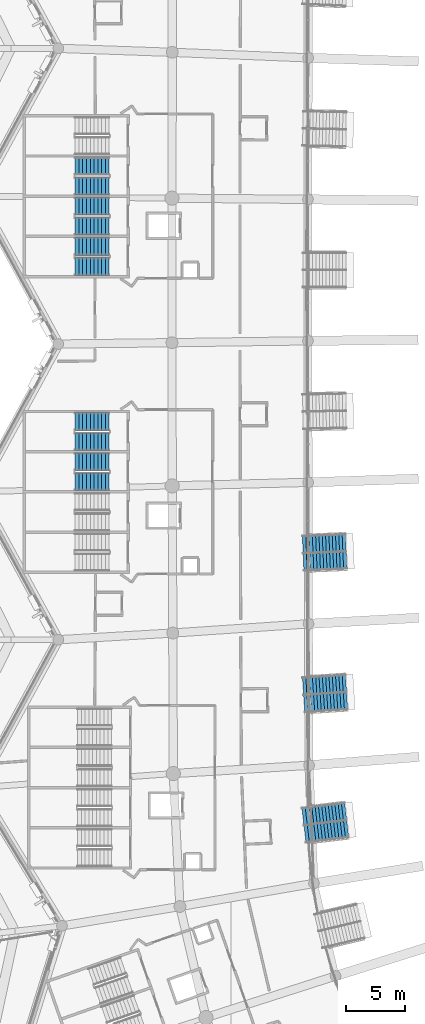
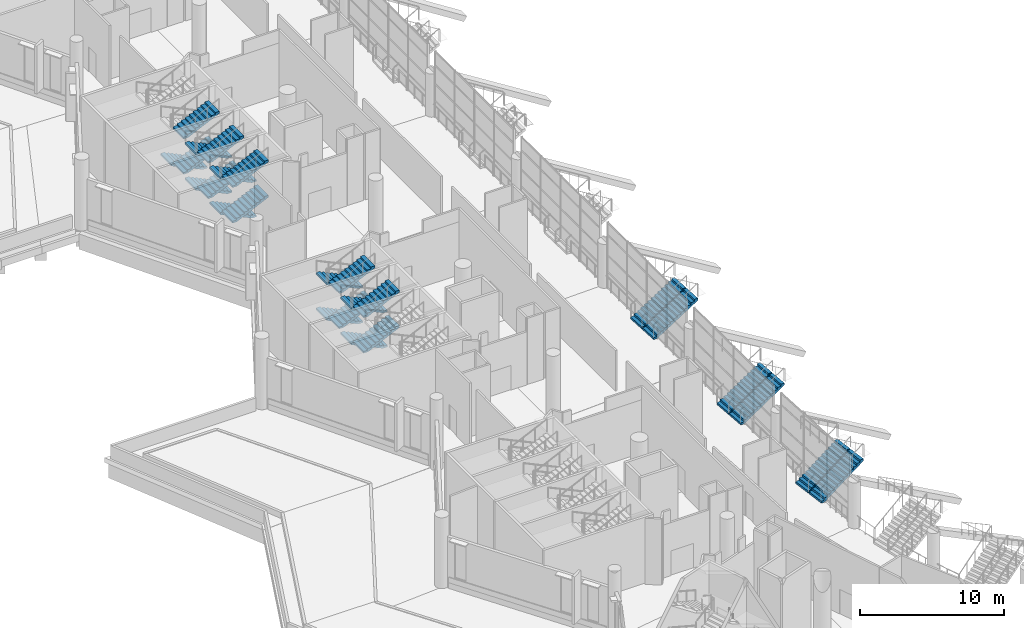
# One storey, part 85 of 173: 25 stair flights, 8 elements without a shape of their own.
"""IFC4 building model written with IfcOpenShell, lengths in metres."""

from ifc_helpers import new_model, si_unit, direction, frame, origin, place, context, subcontext, project, spatial, polyline, outline, extrude, material, type_object, element, aggregate, save


model = new_model("IFC4")

# Units and contexts
model_context = context("Model", 3, precision=1e-05, world=origin(), true_north=direction((0.0, 1.0)))
body_context = subcontext(model_context, "Body", "Model", "MODEL_VIEW")
ifc_project = project(units=[si_unit("LENGTHUNIT", "METRE"), si_unit("AREAUNIT", "SQUARE_METRE"), si_unit("VOLUMEUNIT", "CUBIC_METRE"), si_unit("PLANEANGLEUNIT", "RADIAN"), si_unit("MASSUNIT", "GRAM", prefix="KILO")], contexts=[model_context])

# Site, building, storey
site_placement = place(None, origin())
site = spatial("IfcSite", under=ifc_project, at=site_placement, CompositionType="ELEMENT")
building_placement = place(site_placement, origin())
building = spatial("IfcBuilding", under=site, at=building_placement, Name="Meseta Stadium", CompositionType="ELEMENT")
storey_placement = place(building_placement, frame((0.0, 0.0, 18.0)))
storey = spatial("IfcBuildingStorey", under=building, at=storey_placement, Name="L03", CompositionType="ELEMENT", Elevation=18.0)

# Stair, stair flights
ifc_material_1 = material(Name="Concrete C40/50", Category="concrete")
stair_type_1 = type_object("IfcStairType", Name="Exit stair 4 flights 150 mm risers", PredefinedType="HALF_TURN_STAIR", material=ifc_material_1)
stair_1_placement = place(storey_placement, origin())
stair_1 = element("IfcStair", 1, at=stair_1_placement, inside=storey, type_object=stair_type_1, Name="ST66 L03", PredefinedType="HALF_TURN_STAIR")
ifc_material_2 = material(Name="Concrete C40/50", Category="concrete")
stair_flight_type_1 = type_object("IfcStairFlightType", Name="Exit stair flight 150 mm risers, 4 per storey", PredefinedType="STRAIGHT", material=ifc_material_2)
stair_flight_1_placement = place(storey_placement, frame((-90.300048828125, 8.800048828125, 0.0), z_axis=(0.0, 0.0, 1.0), x_axis=(-1.0, 0.0, 0.0)))
stair_flight_1 = element("IfcStairFlight", 2, at=stair_flight_1_placement, type_object=stair_flight_type_1, Name="ST66 L03 flight 1", NumberOfRisers=10, NumberOfTreads=9, PredefinedType="STRAIGHT", RiserHeight=0.15, TreadLength=0.32, context=body_context, shape_type="SweptSolid", body=[
    extrude(outline(polyline([(0.0, 0.0), (0.0, 0.14990234375), (0.320068359375, 0.14990234375), (0.320068359375, 0.300048828125), (0.639892578125, 0.300048828125), (0.639892578125, 0.449951171875), (0.9599609375, 0.449951171875), (0.9599609375, 0.60009765625), (1.280029296875, 0.60009765625), (1.280029296875, 0.75), (1.60009765625, 0.75), (1.60009765625, 0.89990234375), (1.919921875, 0.89990234375), (1.919921875, 1.050048828125), (2.239990234375, 1.050048828125), (2.239990234375, 1.199951171875), (2.56005859375, 1.199951171875), (2.56005859375, 1.35009765625), (2.8798828125, 1.35009765625), (2.8798828125, 1.184326171875), (0.353271484375, 0.0), (0.0, 0.0)])), frame((0.0, 0.75, 0.0), z_axis=(0.0, -1.0, 0.0), x_axis=(1.0, 0.0, 0.0)), (0.0, 0.0, 1.0), 1.5),
])
stair_flight_2_placement = place(storey_placement, frame((-93.179931640625, 7.10009765625, 1.5), z_axis=(0.0, 0.0, 1.0), x_axis=(1.0, 0.0, 0.0)))
stair_flight_2 = element("IfcStairFlight", 3, at=stair_flight_2_placement, type_object=stair_flight_type_1, Name="ST66 L03 flight 2", NumberOfRisers=10, NumberOfTreads=9, PredefinedType="STRAIGHT", RiserHeight=0.15, TreadLength=0.32, context=body_context, shape_type="SweptSolid", body=[
    extrude(outline(polyline([(0.0, 0.0), (0.0, 0.14990234375), (0.320068359375, 0.14990234375), (0.320068359375, 0.300048828125), (0.639892578125, 0.300048828125), (0.639892578125, 0.449951171875), (0.9599609375, 0.449951171875), (0.9599609375, 0.60009765625), (1.280029296875, 0.60009765625), (1.280029296875, 0.75), (1.60009765625, 0.75), (1.60009765625, 0.89990234375), (1.919921875, 0.89990234375), (1.919921875, 1.050048828125), (2.239990234375, 1.050048828125), (2.239990234375, 1.199951171875), (2.56005859375, 1.199951171875), (2.56005859375, 1.35009765625), (2.8798828125, 1.35009765625), (2.8798828125, 1.184326171875), (0.353271484375, 0.0), (0.0, 0.0)])), frame((0.0, 0.75, 0.0), z_axis=(0.0, -1.0, 0.0), x_axis=(1.0, 0.0, 0.0)), (0.0, 0.0, 1.0), 1.5),
])
stair_flight_3_placement = place(storey_placement, frame((-93.179931640625, 7.10009765625, 4.5), z_axis=(0.0, 0.0, 1.0), x_axis=(1.0, 0.0, 0.0)))
stair_flight_3 = element("IfcStairFlight", 4, at=stair_flight_3_placement, type_object=stair_flight_type_1, Name="ST66 L03 flight 4", NumberOfRisers=10, NumberOfTreads=9, PredefinedType="STRAIGHT", RiserHeight=0.15, TreadLength=0.32, context=body_context, shape_type="SweptSolid", body=[
    extrude(outline(polyline([(0.0, 0.0), (0.0, 0.14990234375), (0.320068359375, 0.14990234375), (0.320068359375, 0.300048828125), (0.639892578125, 0.300048828125), (0.639892578125, 0.449951171875), (0.9599609375, 0.449951171875), (0.9599609375, 0.60009765625), (1.280029296875, 0.60009765625), (1.280029296875, 0.75), (1.60009765625, 0.75), (1.60009765625, 0.89990234375), (1.919921875, 0.89990234375), (1.919921875, 1.050048828125), (2.239990234375, 1.050048828125), (2.239990234375, 1.199951171875), (2.56005859375, 1.199951171875), (2.56005859375, 1.35009765625), (2.8798828125, 1.35009765625), (2.8798828125, 1.184326171875), (0.353271484375, 0.0), (0.0, 0.0)])), frame((0.0, 0.75, 0.0), z_axis=(0.0, -1.0, 0.0), x_axis=(1.0, 0.0, 0.0)), (0.0, 0.0, 1.0), 1.5),
])
aggregate(stair_1, [stair_flight_1, stair_flight_2, stair_flight_3])

stair_2_placement = place(storey_placement, origin())
stair_2 = element("IfcStair", 5, at=stair_2_placement, inside=storey, type_object=stair_type_1, Name="ST67 L03", PredefinedType="HALF_TURN_STAIR")
stair_flight_4_placement = place(storey_placement, frame((-90.300048828125, 5.39990234375, 0.0), z_axis=(0.0, 0.0, 1.0), x_axis=(-1.0, 0.0, 0.0)))
stair_flight_4 = element("IfcStairFlight", 6, at=stair_flight_4_placement, type_object=stair_flight_type_1, Name="ST67 L03 flight 1", NumberOfRisers=10, NumberOfTreads=9, PredefinedType="STRAIGHT", RiserHeight=0.15, TreadLength=0.32, context=body_context, shape_type="SweptSolid", body=[
    extrude(outline(polyline([(0.0, 0.0), (0.0, 0.14990234375), (0.320068359375, 0.14990234375), (0.320068359375, 0.300048828125), (0.639892578125, 0.300048828125), (0.639892578125, 0.449951171875), (0.9599609375, 0.449951171875), (0.9599609375, 0.60009765625), (1.280029296875, 0.60009765625), (1.280029296875, 0.75), (1.60009765625, 0.75), (1.60009765625, 0.89990234375), (1.919921875, 0.89990234375), (1.919921875, 1.050048828125), (2.239990234375, 1.050048828125), (2.239990234375, 1.199951171875), (2.56005859375, 1.199951171875), (2.56005859375, 1.35009765625), (2.8798828125, 1.35009765625), (2.8798828125, 1.184326171875), (0.353271484375, 0.0), (0.0, 0.0)])), frame((0.0, 0.75, 0.0), z_axis=(0.0, -1.0, 0.0), x_axis=(1.0, 0.0, 0.0)), (0.0, 0.0, 1.0), 1.5),
])
stair_flight_5_placement = place(storey_placement, frame((-93.179931640625, 3.699951171875, 1.5), z_axis=(0.0, 0.0, 1.0), x_axis=(1.0, 0.0, 0.0)))
stair_flight_5 = element("IfcStairFlight", 7, at=stair_flight_5_placement, type_object=stair_flight_type_1, Name="ST67 L03 flight 2", NumberOfRisers=10, NumberOfTreads=9, PredefinedType="STRAIGHT", RiserHeight=0.15, TreadLength=0.32, context=body_context, shape_type="SweptSolid", body=[
    extrude(outline(polyline([(0.0, 0.0), (0.0, 0.14990234375), (0.320068359375, 0.14990234375), (0.320068359375, 0.300048828125), (0.639892578125, 0.300048828125), (0.639892578125, 0.449951171875), (0.9599609375, 0.449951171875), (0.9599609375, 0.60009765625), (1.280029296875, 0.60009765625), (1.280029296875, 0.75), (1.60009765625, 0.75), (1.60009765625, 0.89990234375), (1.919921875, 0.89990234375), (1.919921875, 1.050048828125), (2.239990234375, 1.050048828125), (2.239990234375, 1.199951171875), (2.56005859375, 1.199951171875), (2.56005859375, 1.35009765625), (2.8798828125, 1.35009765625), (2.8798828125, 1.184326171875), (0.353271484375, 0.0), (0.0, 0.0)])), frame((0.0, 0.75, 0.0), z_axis=(0.0, -1.0, 0.0), x_axis=(1.0, 0.0, 0.0)), (0.0, 0.0, 1.0), 1.5),
])
stair_flight_6_placement = place(storey_placement, frame((-90.300048828125, 5.39990234375, 3.0), z_axis=(0.0, 0.0, 1.0), x_axis=(-1.0, 0.0, 0.0)))
stair_flight_6 = element("IfcStairFlight", 8, at=stair_flight_6_placement, type_object=stair_flight_type_1, Name="ST67 L03 flight 3", NumberOfRisers=10, NumberOfTreads=9, PredefinedType="STRAIGHT", RiserHeight=0.15, TreadLength=0.32, context=body_context, shape_type="SweptSolid", body=[
    extrude(outline(polyline([(0.0, 0.0), (0.0, 0.14990234375), (0.320068359375, 0.14990234375), (0.320068359375, 0.300048828125), (0.639892578125, 0.300048828125), (0.639892578125, 0.449951171875), (0.9599609375, 0.449951171875), (0.9599609375, 0.60009765625), (1.280029296875, 0.60009765625), (1.280029296875, 0.75), (1.60009765625, 0.75), (1.60009765625, 0.89990234375), (1.919921875, 0.89990234375), (1.919921875, 1.050048828125), (2.239990234375, 1.050048828125), (2.239990234375, 1.199951171875), (2.56005859375, 1.199951171875), (2.56005859375, 1.35009765625), (2.8798828125, 1.35009765625), (2.8798828125, 1.184326171875), (0.353271484375, 0.0), (0.0, 0.0)])), frame((0.0, 0.75, 0.0), z_axis=(0.0, -1.0, 0.0), x_axis=(1.0, 0.0, 0.0)), (0.0, 0.0, 1.0), 1.5),
])
stair_flight_7_placement = place(storey_placement, frame((-93.179931640625, 3.699951171875, 4.5), z_axis=(0.0, 0.0, 1.0), x_axis=(1.0, 0.0, 0.0)))
stair_flight_7 = element("IfcStairFlight", 9, at=stair_flight_7_placement, type_object=stair_flight_type_1, Name="ST67 L03 flight 4", NumberOfRisers=10, NumberOfTreads=9, PredefinedType="STRAIGHT", RiserHeight=0.15, TreadLength=0.32, context=body_context, shape_type="SweptSolid", body=[
    extrude(outline(polyline([(0.0, 0.0), (0.0, 0.14990234375), (0.320068359375, 0.14990234375), (0.320068359375, 0.300048828125), (0.639892578125, 0.300048828125), (0.639892578125, 0.449951171875), (0.9599609375, 0.449951171875), (0.9599609375, 0.60009765625), (1.280029296875, 0.60009765625), (1.280029296875, 0.75), (1.60009765625, 0.75), (1.60009765625, 0.89990234375), (1.919921875, 0.89990234375), (1.919921875, 1.050048828125), (2.239990234375, 1.050048828125), (2.239990234375, 1.199951171875), (2.56005859375, 1.199951171875), (2.56005859375, 1.35009765625), (2.8798828125, 1.35009765625), (2.8798828125, 1.184326171875), (0.353271484375, 0.0), (0.0, 0.0)])), frame((0.0, 0.75, 0.0), z_axis=(0.0, -1.0, 0.0), x_axis=(1.0, 0.0, 0.0)), (0.0, 0.0, 1.0), 1.5),
])
aggregate(stair_2, [stair_flight_4, stair_flight_5, stair_flight_6, stair_flight_7])

stair_3_placement = place(storey_placement, origin())
stair_3 = element("IfcStair", 10, at=stair_3_placement, inside=storey, type_object=stair_type_1, Name="ST68 L03", PredefinedType="HALF_TURN_STAIR")
stair_flight_8_placement = place(storey_placement, frame((-90.300048828125, 2.0, 0.0), z_axis=(0.0, 0.0, 1.0), x_axis=(-1.0, 0.0, 0.0)))
stair_flight_8 = element("IfcStairFlight", 11, at=stair_flight_8_placement, type_object=stair_flight_type_1, Name="ST68 L03 flight 1", NumberOfRisers=10, NumberOfTreads=9, PredefinedType="STRAIGHT", RiserHeight=0.15, TreadLength=0.32, context=body_context, shape_type="SweptSolid", body=[
    extrude(outline(polyline([(0.0, 0.0), (0.0, 0.14990234375), (0.320068359375, 0.14990234375), (0.320068359375, 0.300048828125), (0.639892578125, 0.300048828125), (0.639892578125, 0.449951171875), (0.9599609375, 0.449951171875), (0.9599609375, 0.60009765625), (1.280029296875, 0.60009765625), (1.280029296875, 0.75), (1.60009765625, 0.75), (1.60009765625, 0.89990234375), (1.919921875, 0.89990234375), (1.919921875, 1.050048828125), (2.239990234375, 1.050048828125), (2.239990234375, 1.199951171875), (2.56005859375, 1.199951171875), (2.56005859375, 1.35009765625), (2.8798828125, 1.35009765625), (2.8798828125, 1.184326171875), (0.353271484375, 0.0), (0.0, 0.0)])), frame((0.0, 0.75, 0.0), z_axis=(0.0, -1.0, 0.0), x_axis=(1.0, 0.0, 0.0)), (0.0, 0.0, 1.0), 1.5),
])
stair_flight_9_placement = place(storey_placement, frame((-93.179931640625, 0.300048828125, 1.5), z_axis=(0.0, 0.0, 1.0), x_axis=(1.0, 0.0, 0.0)))
stair_flight_9 = element("IfcStairFlight", 12, at=stair_flight_9_placement, type_object=stair_flight_type_1, Name="ST68 L03 flight 2", NumberOfRisers=10, NumberOfTreads=9, PredefinedType="STRAIGHT", RiserHeight=0.15, TreadLength=0.32, context=body_context, shape_type="SweptSolid", body=[
    extrude(outline(polyline([(0.0, 0.0), (0.0, 0.14990234375), (0.320068359375, 0.14990234375), (0.320068359375, 0.300048828125), (0.639892578125, 0.300048828125), (0.639892578125, 0.449951171875), (0.9599609375, 0.449951171875), (0.9599609375, 0.60009765625), (1.280029296875, 0.60009765625), (1.280029296875, 0.75), (1.60009765625, 0.75), (1.60009765625, 0.89990234375), (1.919921875, 0.89990234375), (1.919921875, 1.050048828125), (2.239990234375, 1.050048828125), (2.239990234375, 1.199951171875), (2.56005859375, 1.199951171875), (2.56005859375, 1.35009765625), (2.8798828125, 1.35009765625), (2.8798828125, 1.184326171875), (0.353271484375, 0.0), (0.0, 0.0)])), frame((0.0, 0.75, 0.0), z_axis=(0.0, -1.0, 0.0), x_axis=(1.0, 0.0, 0.0)), (0.0, 0.0, 1.0), 1.5),
])
stair_flight_10_placement = place(storey_placement, frame((-90.300048828125, 2.0, 3.0), z_axis=(0.0, 0.0, 1.0), x_axis=(-1.0, 0.0, 0.0)))
stair_flight_10 = element("IfcStairFlight", 13, at=stair_flight_10_placement, type_object=stair_flight_type_1, Name="ST68 L03 flight 3", NumberOfRisers=10, NumberOfTreads=9, PredefinedType="STRAIGHT", RiserHeight=0.15, TreadLength=0.32, context=body_context, shape_type="SweptSolid", body=[
    extrude(outline(polyline([(0.0, 0.0), (0.0, 0.14990234375), (0.320068359375, 0.14990234375), (0.320068359375, 0.300048828125), (0.639892578125, 0.300048828125), (0.639892578125, 0.449951171875), (0.9599609375, 0.449951171875), (0.9599609375, 0.60009765625), (1.280029296875, 0.60009765625), (1.280029296875, 0.75), (1.60009765625, 0.75), (1.60009765625, 0.89990234375), (1.919921875, 0.89990234375), (1.919921875, 1.050048828125), (2.239990234375, 1.050048828125), (2.239990234375, 1.199951171875), (2.56005859375, 1.199951171875), (2.56005859375, 1.35009765625), (2.8798828125, 1.35009765625), (2.8798828125, 1.184326171875), (0.353271484375, 0.0), (0.0, 0.0)])), frame((0.0, 0.75, 0.0), z_axis=(0.0, -1.0, 0.0), x_axis=(1.0, 0.0, 0.0)), (0.0, 0.0, 1.0), 1.5),
])
stair_flight_11_placement = place(storey_placement, frame((-93.179931640625, 0.300048828125, 4.5), z_axis=(0.0, 0.0, 1.0), x_axis=(1.0, 0.0, 0.0)))
stair_flight_11 = element("IfcStairFlight", 14, at=stair_flight_11_placement, type_object=stair_flight_type_1, Name="ST68 L03 flight 4", NumberOfRisers=10, NumberOfTreads=9, PredefinedType="STRAIGHT", RiserHeight=0.15, TreadLength=0.32, context=body_context, shape_type="SweptSolid", body=[
    extrude(outline(polyline([(0.0, 0.0), (0.0, 0.14990234375), (0.320068359375, 0.14990234375), (0.320068359375, 0.300048828125), (0.639892578125, 0.300048828125), (0.639892578125, 0.449951171875), (0.9599609375, 0.449951171875), (0.9599609375, 0.60009765625), (1.280029296875, 0.60009765625), (1.280029296875, 0.75), (1.60009765625, 0.75), (1.60009765625, 0.89990234375), (1.919921875, 0.89990234375), (1.919921875, 1.050048828125), (2.239990234375, 1.050048828125), (2.239990234375, 1.199951171875), (2.56005859375, 1.199951171875), (2.56005859375, 1.35009765625), (2.8798828125, 1.35009765625), (2.8798828125, 1.184326171875), (0.353271484375, 0.0), (0.0, 0.0)])), frame((0.0, 0.75, 0.0), z_axis=(0.0, -1.0, 0.0), x_axis=(1.0, 0.0, 0.0)), (0.0, 0.0, 1.0), 1.5),
])
aggregate(stair_3, [stair_flight_8, stair_flight_9, stair_flight_10, stair_flight_11])

stair_4_placement = place(storey_placement, origin())
stair_4 = element("IfcStair", 15, at=stair_4_placement, inside=storey, type_object=stair_type_1, Name="ST69 L03", PredefinedType="HALF_TURN_STAIR")
stair_flight_12_placement = place(storey_placement, frame((-90.300048828125, -12.800048828125, 0.0), z_axis=(0.0, 0.0, 1.0), x_axis=(-1.0, 0.0, 0.0)))
stair_flight_12 = element("IfcStairFlight", 16, at=stair_flight_12_placement, type_object=stair_flight_type_1, Name="ST69 L03 flight 1", NumberOfRisers=10, NumberOfTreads=9, PredefinedType="STRAIGHT", RiserHeight=0.15, TreadLength=0.32, context=body_context, shape_type="SweptSolid", body=[
    extrude(outline(polyline([(0.0, 0.0), (0.0, 0.14990234375), (0.320068359375, 0.14990234375), (0.320068359375, 0.300048828125), (0.639892578125, 0.300048828125), (0.639892578125, 0.449951171875), (0.9599609375, 0.449951171875), (0.9599609375, 0.60009765625), (1.280029296875, 0.60009765625), (1.280029296875, 0.75), (1.60009765625, 0.75), (1.60009765625, 0.89990234375), (1.919921875, 0.89990234375), (1.919921875, 1.050048828125), (2.239990234375, 1.050048828125), (2.239990234375, 1.199951171875), (2.56005859375, 1.199951171875), (2.56005859375, 1.35009765625), (2.8798828125, 1.35009765625), (2.8798828125, 1.184326171875), (0.353271484375, 0.0), (0.0, 0.0)])), frame((0.0, 0.75, 0.0), z_axis=(0.0, -1.0, 0.0), x_axis=(1.0, 0.0, 0.0)), (0.0, 0.0, 1.0), 1.5),
])
stair_flight_13_placement = place(storey_placement, frame((-93.179931640625, -14.5, 1.5), z_axis=(0.0, 0.0, 1.0), x_axis=(1.0, 0.0, 0.0)))
stair_flight_13 = element("IfcStairFlight", 17, at=stair_flight_13_placement, type_object=stair_flight_type_1, Name="ST69 L03 flight 2", NumberOfRisers=10, NumberOfTreads=9, PredefinedType="STRAIGHT", RiserHeight=0.15, TreadLength=0.32, context=body_context, shape_type="SweptSolid", body=[
    extrude(outline(polyline([(0.0, 0.0), (0.0, 0.14990234375), (0.320068359375, 0.14990234375), (0.320068359375, 0.300048828125), (0.639892578125, 0.300048828125), (0.639892578125, 0.449951171875), (0.9599609375, 0.449951171875), (0.9599609375, 0.60009765625), (1.280029296875, 0.60009765625), (1.280029296875, 0.75), (1.60009765625, 0.75), (1.60009765625, 0.89990234375), (1.919921875, 0.89990234375), (1.919921875, 1.050048828125), (2.239990234375, 1.050048828125), (2.239990234375, 1.199951171875), (2.56005859375, 1.199951171875), (2.56005859375, 1.35009765625), (2.8798828125, 1.35009765625), (2.8798828125, 1.184326171875), (0.353271484375, 0.0), (0.0, 0.0)])), frame((0.0, 0.75, 0.0), z_axis=(0.0, -1.0, 0.0), x_axis=(1.0, 0.0, 0.0)), (0.0, 0.0, 1.0), 1.5),
])
stair_flight_14_placement = place(storey_placement, frame((-90.300048828125, -12.800048828125, 3.0), z_axis=(0.0, 0.0, 1.0), x_axis=(-1.0, 0.0, 0.0)))
stair_flight_14 = element("IfcStairFlight", 18, at=stair_flight_14_placement, type_object=stair_flight_type_1, Name="ST69 L03 flight 3", NumberOfRisers=10, NumberOfTreads=9, PredefinedType="STRAIGHT", RiserHeight=0.15, TreadLength=0.32, context=body_context, shape_type="SweptSolid", body=[
    extrude(outline(polyline([(0.0, 0.0), (0.0, 0.14990234375), (0.320068359375, 0.14990234375), (0.320068359375, 0.300048828125), (0.639892578125, 0.300048828125), (0.639892578125, 0.449951171875), (0.9599609375, 0.449951171875), (0.9599609375, 0.60009765625), (1.280029296875, 0.60009765625), (1.280029296875, 0.75), (1.60009765625, 0.75), (1.60009765625, 0.89990234375), (1.919921875, 0.89990234375), (1.919921875, 1.050048828125), (2.239990234375, 1.050048828125), (2.239990234375, 1.199951171875), (2.56005859375, 1.199951171875), (2.56005859375, 1.35009765625), (2.8798828125, 1.35009765625), (2.8798828125, 1.184326171875), (0.353271484375, 0.0), (0.0, 0.0)])), frame((0.0, 0.75, 0.0), z_axis=(0.0, -1.0, 0.0), x_axis=(1.0, 0.0, 0.0)), (0.0, 0.0, 1.0), 1.5),
])
stair_flight_15_placement = place(storey_placement, frame((-93.179931640625, -14.5, 4.5), z_axis=(0.0, 0.0, 1.0), x_axis=(1.0, 0.0, 0.0)))
stair_flight_15 = element("IfcStairFlight", 19, at=stair_flight_15_placement, type_object=stair_flight_type_1, Name="ST69 L03 flight 4", NumberOfRisers=10, NumberOfTreads=9, PredefinedType="STRAIGHT", RiserHeight=0.15, TreadLength=0.32, context=body_context, shape_type="SweptSolid", body=[
    extrude(outline(polyline([(0.0, 0.0), (0.0, 0.14990234375), (0.320068359375, 0.14990234375), (0.320068359375, 0.300048828125), (0.639892578125, 0.300048828125), (0.639892578125, 0.449951171875), (0.9599609375, 0.449951171875), (0.9599609375, 0.60009765625), (1.280029296875, 0.60009765625), (1.280029296875, 0.75), (1.60009765625, 0.75), (1.60009765625, 0.89990234375), (1.919921875, 0.89990234375), (1.919921875, 1.050048828125), (2.239990234375, 1.050048828125), (2.239990234375, 1.199951171875), (2.56005859375, 1.199951171875), (2.56005859375, 1.35009765625), (2.8798828125, 1.35009765625), (2.8798828125, 1.184326171875), (0.353271484375, 0.0), (0.0, 0.0)])), frame((0.0, 0.75, 0.0), z_axis=(0.0, -1.0, 0.0), x_axis=(1.0, 0.0, 0.0)), (0.0, 0.0, 1.0), 1.5),
])
aggregate(stair_4, [stair_flight_12, stair_flight_13, stair_flight_14, stair_flight_15])

stair_5_placement = place(storey_placement, origin())
stair_5 = element("IfcStair", 20, at=stair_5_placement, inside=storey, type_object=stair_type_1, Name="ST70 L03", PredefinedType="HALF_TURN_STAIR")
stair_flight_16_placement = place(storey_placement, frame((-90.300048828125, -16.199951171875, 0.0), z_axis=(0.0, 0.0, 1.0), x_axis=(-1.0, 0.0, 0.0)))
stair_flight_16 = element("IfcStairFlight", 21, at=stair_flight_16_placement, type_object=stair_flight_type_1, Name="ST70 L03 flight 1", NumberOfRisers=10, NumberOfTreads=9, PredefinedType="STRAIGHT", RiserHeight=0.15, TreadLength=0.32, context=body_context, shape_type="SweptSolid", body=[
    extrude(outline(polyline([(0.0, 0.0), (0.0, 0.14990234375), (0.320068359375, 0.14990234375), (0.320068359375, 0.300048828125), (0.639892578125, 0.300048828125), (0.639892578125, 0.449951171875), (0.9599609375, 0.449951171875), (0.9599609375, 0.60009765625), (1.280029296875, 0.60009765625), (1.280029296875, 0.75), (1.60009765625, 0.75), (1.60009765625, 0.89990234375), (1.919921875, 0.89990234375), (1.919921875, 1.050048828125), (2.239990234375, 1.050048828125), (2.239990234375, 1.199951171875), (2.56005859375, 1.199951171875), (2.56005859375, 1.35009765625), (2.8798828125, 1.35009765625), (2.8798828125, 1.184326171875), (0.353271484375, 0.0), (0.0, 0.0)])), frame((0.0, 0.75, 0.0), z_axis=(0.0, -1.0, 0.0), x_axis=(1.0, 0.0, 0.0)), (0.0, 0.0, 1.0), 1.5),
])
stair_flight_17_placement = place(storey_placement, frame((-93.179931640625, -17.89990234375, 1.5), z_axis=(0.0, 0.0, 1.0), x_axis=(1.0, 0.0, 0.0)))
stair_flight_17 = element("IfcStairFlight", 22, at=stair_flight_17_placement, type_object=stair_flight_type_1, Name="ST70 L03 flight 2", NumberOfRisers=10, NumberOfTreads=9, PredefinedType="STRAIGHT", RiserHeight=0.15, TreadLength=0.32, context=body_context, shape_type="SweptSolid", body=[
    extrude(outline(polyline([(0.0, 0.0), (0.0, 0.14990234375), (0.320068359375, 0.14990234375), (0.320068359375, 0.300048828125), (0.639892578125, 0.300048828125), (0.639892578125, 0.449951171875), (0.9599609375, 0.449951171875), (0.9599609375, 0.60009765625), (1.280029296875, 0.60009765625), (1.280029296875, 0.75), (1.60009765625, 0.75), (1.60009765625, 0.89990234375), (1.919921875, 0.89990234375), (1.919921875, 1.050048828125), (2.239990234375, 1.050048828125), (2.239990234375, 1.199951171875), (2.56005859375, 1.199951171875), (2.56005859375, 1.35009765625), (2.8798828125, 1.35009765625), (2.8798828125, 1.184326171875), (0.353271484375, 0.0), (0.0, 0.0)])), frame((0.0, 0.75, 0.0), z_axis=(0.0, -1.0, 0.0), x_axis=(1.0, 0.0, 0.0)), (0.0, 0.0, 1.0), 1.5),
])
stair_flight_18_placement = place(storey_placement, frame((-90.300048828125, -16.199951171875, 3.0), z_axis=(0.0, 0.0, 1.0), x_axis=(-1.0, 0.0, 0.0)))
stair_flight_18 = element("IfcStairFlight", 23, at=stair_flight_18_placement, type_object=stair_flight_type_1, Name="ST70 L03 flight 3", NumberOfRisers=10, NumberOfTreads=9, PredefinedType="STRAIGHT", RiserHeight=0.15, TreadLength=0.32, context=body_context, shape_type="SweptSolid", body=[
    extrude(outline(polyline([(0.0, 0.0), (0.0, 0.14990234375), (0.320068359375, 0.14990234375), (0.320068359375, 0.300048828125), (0.639892578125, 0.300048828125), (0.639892578125, 0.449951171875), (0.9599609375, 0.449951171875), (0.9599609375, 0.60009765625), (1.280029296875, 0.60009765625), (1.280029296875, 0.75), (1.60009765625, 0.75), (1.60009765625, 0.89990234375), (1.919921875, 0.89990234375), (1.919921875, 1.050048828125), (2.239990234375, 1.050048828125), (2.239990234375, 1.199951171875), (2.56005859375, 1.199951171875), (2.56005859375, 1.35009765625), (2.8798828125, 1.35009765625), (2.8798828125, 1.184326171875), (0.353271484375, 0.0), (0.0, 0.0)])), frame((0.0, 0.75, 0.0), z_axis=(0.0, -1.0, 0.0), x_axis=(1.0, 0.0, 0.0)), (0.0, 0.0, 1.0), 1.5),
])
stair_flight_19_placement = place(storey_placement, frame((-93.179931640625, -17.89990234375, 4.5), z_axis=(0.0, 0.0, 1.0), x_axis=(1.0, 0.0, 0.0)))
stair_flight_19 = element("IfcStairFlight", 24, at=stair_flight_19_placement, type_object=stair_flight_type_1, Name="ST70 L03 flight 4", NumberOfRisers=10, NumberOfTreads=9, PredefinedType="STRAIGHT", RiserHeight=0.15, TreadLength=0.32, context=body_context, shape_type="SweptSolid", body=[
    extrude(outline(polyline([(0.0, 0.0), (0.0, 0.14990234375), (0.320068359375, 0.14990234375), (0.320068359375, 0.300048828125), (0.639892578125, 0.300048828125), (0.639892578125, 0.449951171875), (0.9599609375, 0.449951171875), (0.9599609375, 0.60009765625), (1.280029296875, 0.60009765625), (1.280029296875, 0.75), (1.60009765625, 0.75), (1.60009765625, 0.89990234375), (1.919921875, 0.89990234375), (1.919921875, 1.050048828125), (2.239990234375, 1.050048828125), (2.239990234375, 1.199951171875), (2.56005859375, 1.199951171875), (2.56005859375, 1.35009765625), (2.8798828125, 1.35009765625), (2.8798828125, 1.184326171875), (0.353271484375, 0.0), (0.0, 0.0)])), frame((0.0, 0.75, 0.0), z_axis=(0.0, -1.0, 0.0), x_axis=(1.0, 0.0, 0.0)), (0.0, 0.0, 1.0), 1.5),
])
aggregate(stair_5, [stair_flight_16, stair_flight_17, stair_flight_18, stair_flight_19])

ifc_material_3 = material(Name="Concrete C40/50", Category="concrete")
stair_type_2 = type_object("IfcStairType", Name="Vomitory stair 3000", PredefinedType="STRAIGHT_RUN_STAIR", material=ifc_material_3)
stair_6_placement = place(storey_placement, origin())
stair_6 = element("IfcStair", 25, at=stair_6_placement, inside=storey, type_object=stair_type_2, Name="Vomitory V-upper-35", PredefinedType="STRAIGHT_RUN_STAIR")
ifc_material_4 = material(Name="Concrete C40/50", Category="concrete")
stair_flight_type_2 = type_object("IfcStairFlightType", Name="Vomitory stair flight 1450", PredefinedType="STRAIGHT", material=ifc_material_4)
stair_flight_20_placement = place(storey_placement, frame((-73.940673828125, -23.1689453125, 0.0), z_axis=(0.0, 0.0, 1.0), x_axis=(0.999039522965, 0.043818164662, 0.0)))
stair_flight_20 = element("IfcStairFlight", 26, at=stair_flight_20_placement, type_object=stair_flight_type_2, Name="Vomitory V-upper-35 flight 1", NumberOfRisers=14, NumberOfTreads=13, PredefinedType="STRAIGHT", RiserHeight=0.165139, TreadLength=0.28, context=body_context, shape_type="SweptSolid", body=[
    extrude(outline(polyline([(0.0, 0.0), (0.0, 0.1650390625), (0.280029296875, 0.1650390625), (0.280029296875, 0.330322265625), (0.56005859375, 0.330322265625), (0.56005859375, 0.495361328125), (0.840087890625, 0.495361328125), (0.840087890625, 0.66064453125), (1.1201171875, 0.66064453125), (1.1201171875, 0.82568359375), (1.39990234375, 0.82568359375), (1.39990234375, 0.99072265625), (1.679931640625, 0.99072265625), (1.679931640625, 1.156005859375), (1.9599609375, 1.156005859375), (1.9599609375, 1.321044921875), (2.239990234375, 1.321044921875), (2.239990234375, 1.486328125), (2.52001953125, 1.486328125), (2.52001953125, 1.6513671875), (2.800048828125, 1.6513671875), (2.800048828125, 1.816650390625), (3.080078125, 1.816650390625), (3.080078125, 1.981689453125), (3.360107421875, 1.981689453125), (3.360107421875, 2.146728515625), (3.639892578125, 2.146728515625), (3.639892578125, 1.97265625), (0.295166015625, 0.0), (0.0, 0.0)])), frame((0.0, 0.72509765625, 0.0), z_axis=(0.0, -1.0, 0.0), x_axis=(1.0, 0.0, 0.0)), (0.0, 0.0, 1.0), 1.449951171875),
])
stair_flight_21_placement = place(storey_placement, frame((-73.872802734375, -24.71728515625, 0.0), z_axis=(0.0, 0.0, 1.0), x_axis=(0.999039522965, 0.043818164662, 0.0)))
stair_flight_21 = element("IfcStairFlight", 27, at=stair_flight_21_placement, type_object=stair_flight_type_2, Name="Vomitory V-upper-35 flight 2", NumberOfRisers=14, NumberOfTreads=13, PredefinedType="STRAIGHT", RiserHeight=0.165139, TreadLength=0.28, context=body_context, shape_type="SweptSolid", body=[
    extrude(outline(polyline([(0.0, 0.0), (0.0, 0.1650390625), (0.280029296875, 0.1650390625), (0.280029296875, 0.330322265625), (0.56005859375, 0.330322265625), (0.56005859375, 0.495361328125), (0.840087890625, 0.495361328125), (0.840087890625, 0.66064453125), (1.1201171875, 0.66064453125), (1.1201171875, 0.82568359375), (1.39990234375, 0.82568359375), (1.39990234375, 0.99072265625), (1.679931640625, 0.99072265625), (1.679931640625, 1.156005859375), (1.9599609375, 1.156005859375), (1.9599609375, 1.321044921875), (2.239990234375, 1.321044921875), (2.239990234375, 1.486328125), (2.52001953125, 1.486328125), (2.52001953125, 1.6513671875), (2.800048828125, 1.6513671875), (2.800048828125, 1.816650390625), (3.080078125, 1.816650390625), (3.080078125, 1.981689453125), (3.360107421875, 1.981689453125), (3.360107421875, 2.146728515625), (3.639892578125, 2.146728515625), (3.639892578125, 1.97265625), (0.295166015625, 0.0), (0.0, 0.0)])), frame((0.0, 0.72509765625, 0.0), z_axis=(0.0, -1.0, 0.0), x_axis=(1.0, 0.0, 0.0)), (0.0, 0.0, 1.0), 1.449951171875),
])
aggregate(stair_6, [stair_flight_20, stair_flight_21])

stair_7_placement = place(storey_placement, origin())
stair_7 = element("IfcStair", 28, at=stair_7_placement, inside=storey, type_object=stair_type_2, Name="Vomitory V-upper-36", PredefinedType="STRAIGHT_RUN_STAIR")
stair_flight_22_placement = place(storey_placement, frame((-73.918212890625, -35.138916015625, 0.0), z_axis=(0.0, 0.0, 1.0), x_axis=(0.997842912451, 0.065646950207, 0.0)))
stair_flight_22 = element("IfcStairFlight", 29, at=stair_flight_22_placement, type_object=stair_flight_type_2, Name="Vomitory V-upper-36 flight 1", NumberOfRisers=14, NumberOfTreads=13, PredefinedType="STRAIGHT", RiserHeight=0.165139, TreadLength=0.28, context=body_context, shape_type="SweptSolid", body=[
    extrude(outline(polyline([(0.0, 0.0), (0.0, 0.1650390625), (0.280029296875, 0.1650390625), (0.280029296875, 0.330322265625), (0.56005859375, 0.330322265625), (0.56005859375, 0.495361328125), (0.840087890625, 0.495361328125), (0.840087890625, 0.66064453125), (1.1201171875, 0.66064453125), (1.1201171875, 0.82568359375), (1.39990234375, 0.82568359375), (1.39990234375, 0.99072265625), (1.679931640625, 0.99072265625), (1.679931640625, 1.156005859375), (1.9599609375, 1.156005859375), (1.9599609375, 1.321044921875), (2.239990234375, 1.321044921875), (2.239990234375, 1.486328125), (2.52001953125, 1.486328125), (2.52001953125, 1.6513671875), (2.800048828125, 1.6513671875), (2.800048828125, 1.816650390625), (3.080078125, 1.816650390625), (3.080078125, 1.981689453125), (3.360107421875, 1.981689453125), (3.360107421875, 2.146728515625), (3.639892578125, 2.146728515625), (3.639892578125, 1.97265625), (0.295166015625, 0.0), (0.0, 0.0)])), frame((0.0, 0.72509765625, 0.0), z_axis=(0.0, -1.0, 0.0), x_axis=(1.0, 0.0, 0.0)), (0.0, 0.0, 1.0), 1.449951171875),
])
stair_flight_23_placement = place(storey_placement, frame((-73.81640625, -36.685302734375, 0.0), z_axis=(0.0, 0.0, 1.0), x_axis=(0.997842912451, 0.065646950207, 0.0)))
stair_flight_23 = element("IfcStairFlight", 30, at=stair_flight_23_placement, type_object=stair_flight_type_2, Name="Vomitory V-upper-36 flight 2", NumberOfRisers=14, NumberOfTreads=13, PredefinedType="STRAIGHT", RiserHeight=0.165139, TreadLength=0.28, context=body_context, shape_type="SweptSolid", body=[
    extrude(outline(polyline([(0.0, 0.0), (0.0, 0.1650390625), (0.280029296875, 0.1650390625), (0.280029296875, 0.330322265625), (0.56005859375, 0.330322265625), (0.56005859375, 0.495361328125), (0.840087890625, 0.495361328125), (0.840087890625, 0.66064453125), (1.1201171875, 0.66064453125), (1.1201171875, 0.82568359375), (1.39990234375, 0.82568359375), (1.39990234375, 0.99072265625), (1.679931640625, 0.99072265625), (1.679931640625, 1.156005859375), (1.9599609375, 1.156005859375), (1.9599609375, 1.321044921875), (2.239990234375, 1.321044921875), (2.239990234375, 1.486328125), (2.52001953125, 1.486328125), (2.52001953125, 1.6513671875), (2.800048828125, 1.6513671875), (2.800048828125, 1.816650390625), (3.080078125, 1.816650390625), (3.080078125, 1.981689453125), (3.360107421875, 1.981689453125), (3.360107421875, 2.146728515625), (3.639892578125, 2.146728515625), (3.639892578125, 1.97265625), (0.295166015625, 0.0), (0.0, 0.0)])), frame((0.0, 0.72509765625, 0.0), z_axis=(0.0, -1.0, 0.0), x_axis=(1.0, 0.0, 0.0)), (0.0, 0.0, 1.0), 1.449951171875),
])
aggregate(stair_7, [stair_flight_22, stair_flight_23])

stair_8_placement = place(storey_placement, origin())
stair_8 = element("IfcStair", 31, at=stair_8_placement, inside=storey, type_object=stair_type_2, Name="Vomitory V-upper-37", PredefinedType="STRAIGHT_RUN_STAIR")
stair_flight_24_placement = place(storey_placement, frame((-73.927978515625, -46.161376953125, 0.0), z_axis=(0.0, 0.0, 1.0), x_axis=(0.993015017931, 0.117988025512, 0.0)))
stair_flight_24 = element("IfcStairFlight", 32, at=stair_flight_24_placement, type_object=stair_flight_type_2, Name="Vomitory V-upper-37 flight 1", NumberOfRisers=14, NumberOfTreads=13, PredefinedType="STRAIGHT", RiserHeight=0.173526, TreadLength=0.28, context=body_context, shape_type="SweptSolid", body=[
    extrude(outline(polyline([(0.0, 0.0), (0.0, 0.173583984375), (0.280029296875, 0.173583984375), (0.280029296875, 0.34716796875), (0.56005859375, 0.34716796875), (0.56005859375, 0.5205078125), (0.840087890625, 0.5205078125), (0.840087890625, 0.694091796875), (1.1201171875, 0.694091796875), (1.1201171875, 0.86767578125), (1.39990234375, 0.86767578125), (1.39990234375, 1.041259765625), (1.679931640625, 1.041259765625), (1.679931640625, 1.214599609375), (1.9599609375, 1.214599609375), (1.9599609375, 1.38818359375), (2.239990234375, 1.38818359375), (2.239990234375, 1.561767578125), (2.52001953125, 1.561767578125), (2.52001953125, 1.7353515625), (2.800048828125, 1.7353515625), (2.800048828125, 1.90869140625), (3.080078125, 1.90869140625), (3.080078125, 2.082275390625), (3.360107421875, 2.082275390625), (3.360107421875, 2.255859375), (3.639892578125, 2.255859375), (3.639892578125, 2.07958984375), (0.28466796875, 0.0), (0.0, 0.0)])), frame((0.0, 0.72509765625, 0.0), z_axis=(0.0, -1.0, 0.0), x_axis=(1.0, 0.0, 0.0)), (0.0, 0.0, 1.0), 1.449951171875),
])
stair_flight_25_placement = place(storey_placement, frame((-73.7451171875, -47.700439453125, 0.0), z_axis=(0.0, 0.0, 1.0), x_axis=(0.993015017931, 0.117988025512, 0.0)))
stair_flight_25 = element("IfcStairFlight", 33, at=stair_flight_25_placement, type_object=stair_flight_type_2, Name="Vomitory V-upper-37 flight 2", NumberOfRisers=14, NumberOfTreads=13, PredefinedType="STRAIGHT", RiserHeight=0.173526, TreadLength=0.28, context=body_context, shape_type="SweptSolid", body=[
    extrude(outline(polyline([(0.0, 0.0), (0.0, 0.173583984375), (0.280029296875, 0.173583984375), (0.280029296875, 0.34716796875), (0.56005859375, 0.34716796875), (0.56005859375, 0.5205078125), (0.840087890625, 0.5205078125), (0.840087890625, 0.694091796875), (1.1201171875, 0.694091796875), (1.1201171875, 0.86767578125), (1.39990234375, 0.86767578125), (1.39990234375, 1.041259765625), (1.679931640625, 1.041259765625), (1.679931640625, 1.214599609375), (1.9599609375, 1.214599609375), (1.9599609375, 1.38818359375), (2.239990234375, 1.38818359375), (2.239990234375, 1.561767578125), (2.52001953125, 1.561767578125), (2.52001953125, 1.7353515625), (2.800048828125, 1.7353515625), (2.800048828125, 1.90869140625), (3.080078125, 1.90869140625), (3.080078125, 2.082275390625), (3.360107421875, 2.082275390625), (3.360107421875, 2.255859375), (3.639892578125, 2.255859375), (3.639892578125, 2.07958984375), (0.28466796875, 0.0), (0.0, 0.0)])), frame((0.0, 0.72509765625, 0.0), z_axis=(0.0, -1.0, 0.0), x_axis=(1.0, 0.0, 0.0)), (0.0, 0.0, 1.0), 1.449951171875),
])
aggregate(stair_8, [stair_flight_24, stair_flight_25])

save(model, "model.ifc")
